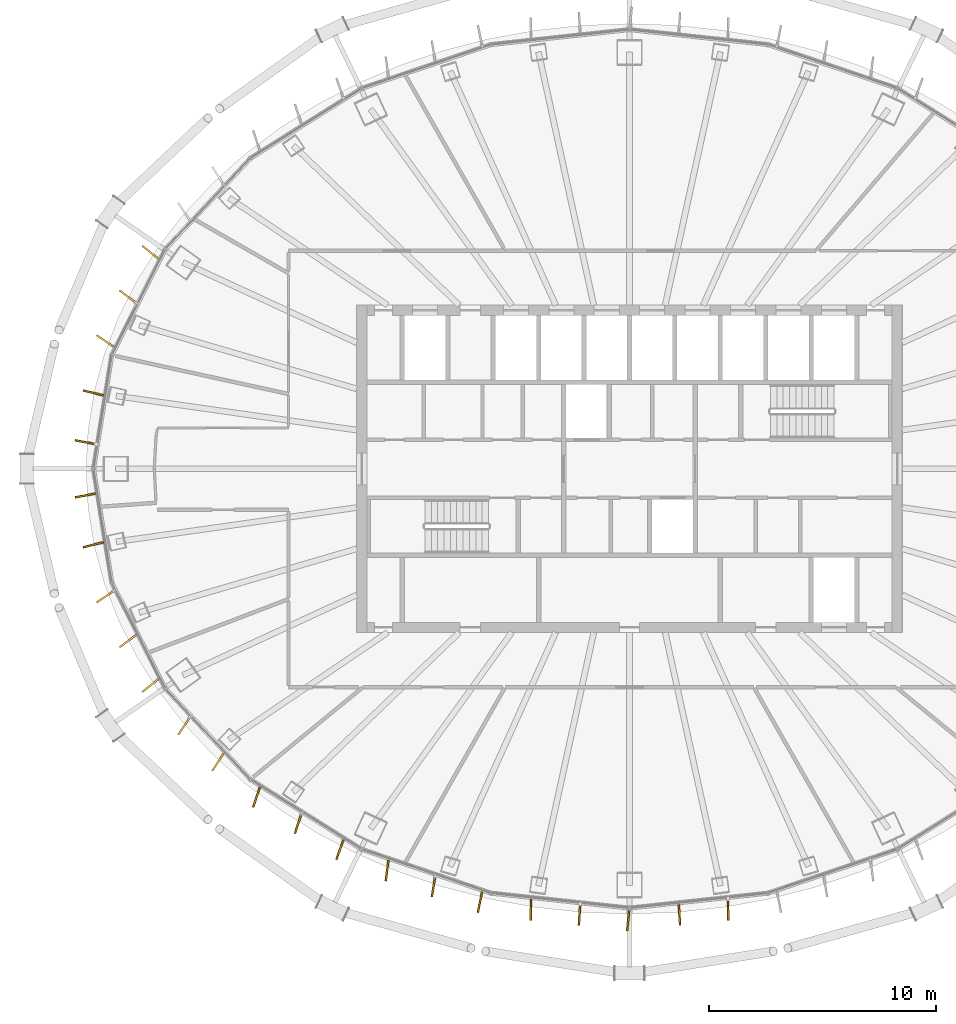
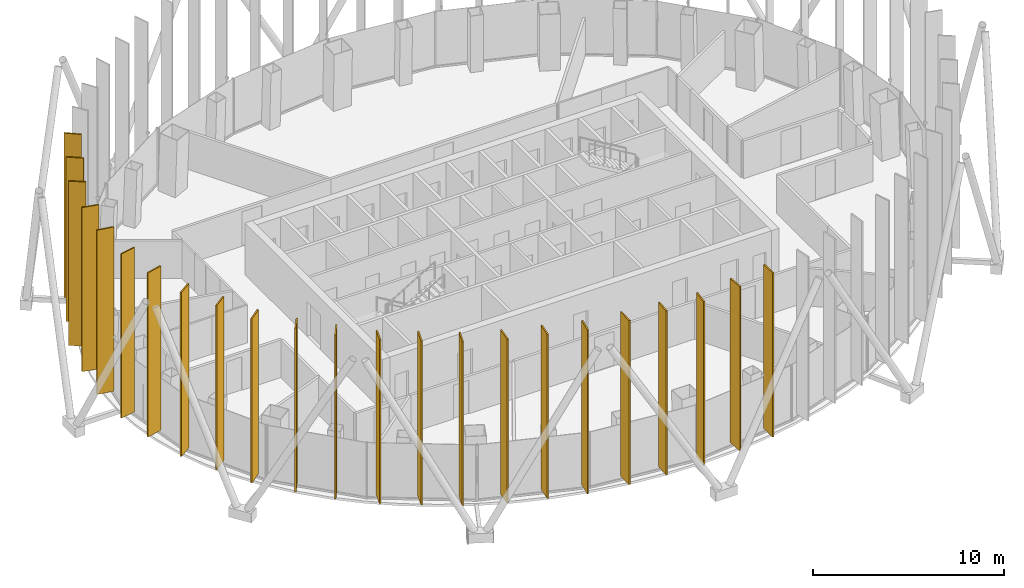
# One storey, part 16 of 19: 23 shading devices.
"""IFC4 building model written with IfcOpenShell, lengths in metres."""

from ifc_helpers import new_model, si_unit, direction, frame, origin, origin_2d, place, context, subcontext, project, spatial, rectangle, extrude, material, layer, layer_set, type_object, element, save


model = new_model("IFC4")

# Units and contexts
model_context = context("Model", 3, precision=1e-05, world=origin(), true_north=direction((0.0, 1.0)))
body_context = subcontext(model_context, "Body", "Model", "MODEL_VIEW")
ifc_project = project(units=[si_unit("LENGTHUNIT", "METRE"), si_unit("AREAUNIT", "SQUARE_METRE"), si_unit("VOLUMEUNIT", "CUBIC_METRE"), si_unit("PLANEANGLEUNIT", "RADIAN"), si_unit("MASSUNIT", "GRAM", prefix="KILO")], contexts=[model_context])

# Site, building, storey
site_placement = place(None, origin())
site = spatial("IfcSite", under=ifc_project, at=site_placement, CompositionType="ELEMENT")
building_placement = place(site_placement, origin())
building = spatial("IfcBuilding", under=site, at=building_placement, Name="Siaravel Broadcast Tower", CompositionType="ELEMENT")
storey_placement = place(building_placement, frame((0.0, 0.0, 168.199951171875)))
storey = spatial("IfcBuildingStorey", under=building, at=storey_placement, Name="L40", CompositionType="ELEMENT", Elevation=168.199951171875)

# Shading devices
ifc_material = material(Name="Bronze anodised aluminium", Category="aluminium")
ifc_layer = layer(ifc_material, 0.080078125)
ifc_layer_set = layer_set([ifc_layer], Name="Bronze anodised aluminium")
shading_device_type = type_object("IfcShadingDeviceType", Name="Bronze fin zone 3", PredefinedType="USERDEFINED", material=ifc_layer_set)
for number, where, z_axis, x_axis, name in (
    (1, (-21.077880859375, 9.529296875, 0.300048828125), (0.0, 0.0, 1.0), (-0.781708812, 0.623643594, 0.0), "Bronze fin L40-27"),
    (2, (-22.068115234375, 7.577880859375, 0.300048828125), (0.0, 0.0, 1.0), (-0.802227057, 0.597019052, 0.0), "Bronze fin L40-28"),
    (3, (-23.059814453125, 5.623291015625, 0.300048828125), (0.0, 0.0, 1.0), (-0.826438448, 0.563027079, 0.0), "Bronze fin L40-29"),
    (4, (-23.585205078125, 3.340087890625, 0.300048828125), (0.0, 0.0, 1.0), (-0.971274412, 0.237962219, 0.0), "Bronze fin L40-30"),
    (5, (-23.935302734375, 1.17041015625, 0.300048828125), (0.0, 0.0, 1.0), (-0.982637416, 0.185536275, 0.0), "Bronze fin L40-31"),
    (6, (-23.935302734375, -1.17041015625, 0.300048828125), (0.0, 0.0, 1.0), (-0.982637416, -0.185536275, 0.0), "Bronze fin L40-32"),
    (7, (-23.585205078125, -3.340087890625, 0.300048828125), (0.0, 0.0, 1.0), (-0.971274412, -0.237962219, 0.0), "Bronze fin L40-33"),
    (8, (-23.059814453125, -5.623291015625, 0.300048828125), (0.0, 0.0, 1.0), (-0.826438448, -0.563027079, 0.0), "Bronze fin L40-34"),
    (9, (-22.068115234375, -7.577880859375, 0.300048828125), (0.0, 0.0, 1.0), (-0.802227057, -0.597019052, 0.0), "Bronze fin L40-35"),
    (10, (-21.077880859375, -9.529296875, 0.300048828125), (0.0, 0.0, 1.0), (-0.781708812, -0.623643594, 0.0), "Bronze fin L40-36"),
    (11, (-19.59521484375, -11.312255859375, 0.300048828125), (0.0, 0.0, 1.0), (-0.556160726, -0.831074754, 0.0), "Bronze fin L40-37"),
    (12, (-18.1044921875, -12.9013671875, 0.300048828125), (0.0, 0.0, 1.0), (-0.545228794, -0.838287279, 0.0), "Bronze fin L40-38"),
    (13, (-16.410888671875, -14.447998046875, 0.300048828125), (0.0, 0.0, 1.0), (-0.311786064, -0.95015233, 0.0), "Bronze fin L40-39"),
    (14, (-14.57421875, -15.603271484375, 0.300048828125), (0.0, 0.0, 1.0), (-0.318474596, -0.947931396, 0.0), "Bronze fin L40-40"),
    (15, (-12.74169921875, -16.75732421875, 0.300048828125), (0.0, 0.0, 1.0), (-0.333879248, -0.942615854, 0.0), "Bronze fin L40-41"),
    (16, (-10.663818359375, -17.67529296875, 0.300048828125), (0.0, 0.0, 1.0), (-0.130000133, -0.991513976, 0.0), "Bronze fin L40-42"),
    (17, (-8.6201171875, -18.371337890625, 0.300048828125), (0.0, 0.0, 1.0), (-0.160613367, -0.987017399, 0.0), "Bronze fin L40-43"),
    (18, (-6.578857421875, -19.06640625, 0.300048828125), (0.0, 0.0, 1.0), (-0.196793261, -0.980445007, 0.0), "Bronze fin L40-44"),
    (19, (-4.337890625, -19.39404296875, 0.300048828125), (0.0, 0.0, 1.0), (-0.018818774, -0.999822911, 0.0), "Bronze fin L40-45"),
    (20, (-2.197509765625, -19.626220703125, 0.300048828125), (0.0, 0.0, 1.0), (-0.062466526, -0.99804706, 0.0), "Bronze fin L40-46"),
    (21, (-0.0576171875, -19.857421875, 0.300048828125), (0.0, 0.0, 1.0), (-0.107216783, -0.994235667, 0.0), "Bronze fin L40-47"),
    (22, (2.197509765625, -19.626220703125, 0.300048828125), (0.0, 0.0, 1.0), (0.062466526, -0.99804706, 0.0), "Bronze fin L40-48"),
    (23, (4.337890625, -19.39404296875, 0.300048828125), (0.0, 0.0, 1.0), (0.018818774, -0.999822911, 0.0), "Bronze fin L40-49"),
):
    element("IfcShadingDevice", number, at=place(storey_placement, frame(where, z_axis=z_axis, x_axis=x_axis)), inside=storey, type_object=shading_device_type, Name=name, ObjectType="FIN", PredefinedType="USERDEFINED", context=body_context, shape_type="SweptSolid", body=[
        extrude(rectangle(XDim=0.919921875, YDim=0.080078125, at=origin_2d()), origin(), (0.0, 0.0, 1.0), 10.5),
    ])

save(model, "model.ifc")
